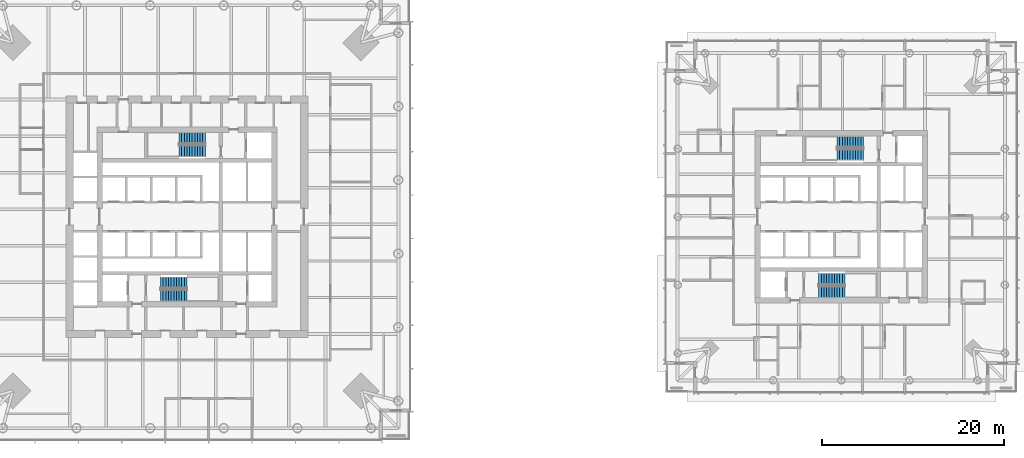
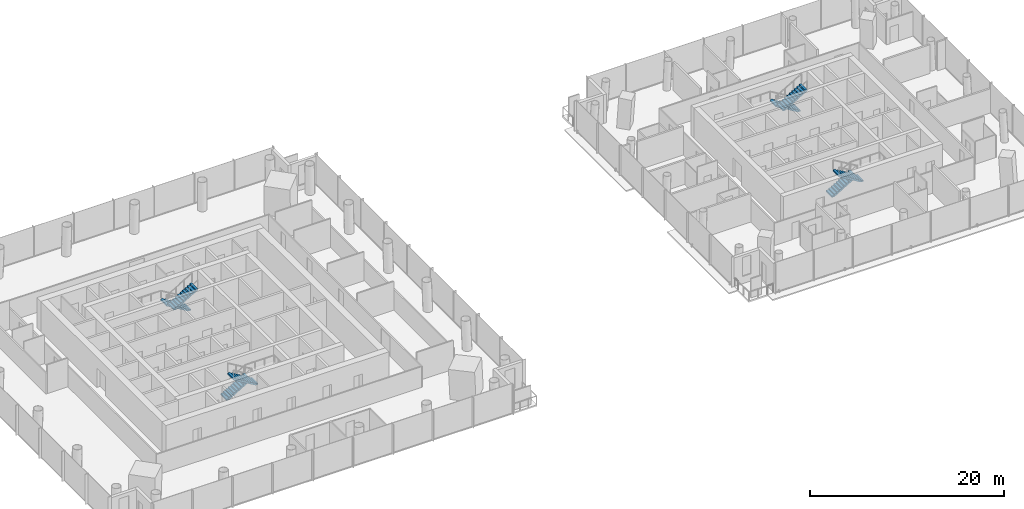
# One storey, part 16 of 21: 8 stair flights, 4 elements without a shape of their own.
"""IFC4 building model written with IfcOpenShell, lengths in metres."""

from ifc_helpers import new_model, si_unit, direction, frame, origin, place, context, subcontext, project, spatial, polyline, outline, extrude, material, type_object, element, aggregate, save


model = new_model("IFC4")

# Units and contexts
model_context = context("Model", 3, precision=1e-05, world=origin(), true_north=direction((0.0, 1.0)))
body_context = subcontext(model_context, "Body", "Model", "MODEL_VIEW")
ifc_project = project(units=[si_unit("LENGTHUNIT", "METRE"), si_unit("AREAUNIT", "SQUARE_METRE"), si_unit("VOLUMEUNIT", "CUBIC_METRE"), si_unit("PLANEANGLEUNIT", "RADIAN"), si_unit("MASSUNIT", "GRAM", prefix="KILO")], contexts=[model_context])

# Site, building, storey
site_placement = place(None, origin())
site = spatial("IfcSite", under=ifc_project, at=site_placement, CompositionType="ELEMENT")
building_placement = place(site_placement, origin())
building = spatial("IfcBuilding", under=site, at=building_placement, Name="Ostroluk Exchange", CompositionType="ELEMENT")
storey_placement = place(building_placement, frame((0.0, 0.0, 43.800048828125)))
storey = spatial("IfcBuildingStorey", under=building, at=storey_placement, Name="L10", CompositionType="ELEMENT", Elevation=43.800048828125)

# Stair, stair flights
ifc_material_1 = material(Name="Concrete C30/37", Category="concrete")
stair_type = type_object("IfcStairType", Name="Exit stair half turn 3800", PredefinedType="HALF_TURN_STAIR", material=ifc_material_1)
stair_1_placement = place(storey_placement, origin())
stair_1 = element("IfcStair", 1, at=stair_1_placement, inside=storey, type_object=stair_type, Name="Stair T1-S1 L10", PredefinedType="HALF_TURN_STAIR")
ifc_material_2 = material(Name="Concrete C30/37", Category="concrete")
stair_flight_type = type_object("IfcStairFlightType", Name="Stair flight 11 risers 172.7 x 290", PredefinedType="STRAIGHT", material=ifc_material_2)
stair_flight_1_placement = place(storey_placement, frame((42.10009765625, 38.77490234375, 0.0), z_axis=(0.0, 0.0, 1.0), x_axis=(1.0, 0.0, 0.0)))
stair_flight_1 = element("IfcStairFlight", 2, at=stair_flight_1_placement, type_object=stair_flight_type, Name="T1-S1 flight 1", NumberOfRisers=11, NumberOfTreads=10, PredefinedType="STRAIGHT", RiserHeight=0.172727273, TreadLength=0.29, context=body_context, shape_type="SweptSolid", body=[
    extrude(outline(polyline([(0.0, 0.0), (0.0, 0.172607421875), (0.2900390625, 0.172607421875), (0.2900390625, 0.345458984375), (0.580078125, 0.345458984375), (0.580078125, 0.51806640625), (0.8701171875, 0.51806640625), (0.8701171875, 0.69091796875), (1.159912109375, 0.69091796875), (1.159912109375, 0.863525390625), (1.449951171875, 0.863525390625), (1.449951171875, 1.036376953125), (1.739990234375, 1.036376953125), (1.739990234375, 1.208984375), (2.030029296875, 1.208984375), (2.030029296875, 1.3818359375), (2.320068359375, 1.3818359375), (2.320068359375, 1.554443359375), (2.610107421875, 1.554443359375), (2.610107421875, 1.727294921875), (2.89990234375, 1.727294921875), (2.89990234375, 1.89990234375), (2.89990234375, 1.552734375), (0.29296875, 0.0), (0.0, 0.0)])), frame((0.0, 0.625, 0.0), z_axis=(0.0, -1.0, 0.0), x_axis=(1.0, 0.0, 0.0)), (0.0, 0.0, 1.0), 1.25),
])
stair_flight_2_placement = place(storey_placement, frame((45.0, 37.324951171875, 1.89990234375), z_axis=(0.0, 0.0, 1.0), x_axis=(-1.0, 0.0, 0.0)))
stair_flight_2 = element("IfcStairFlight", 3, at=stair_flight_2_placement, type_object=stair_flight_type, Name="T1-S1 flight 2", NumberOfRisers=11, NumberOfTreads=10, PredefinedType="STRAIGHT", RiserHeight=0.172727273, TreadLength=0.29, context=body_context, shape_type="SweptSolid", body=[
    extrude(outline(polyline([(0.0, 0.0), (0.0, 0.172607421875), (0.2900390625, 0.172607421875), (0.2900390625, 0.345458984375), (0.580078125, 0.345458984375), (0.580078125, 0.51806640625), (0.8701171875, 0.51806640625), (0.8701171875, 0.69091796875), (1.159912109375, 0.69091796875), (1.159912109375, 0.863525390625), (1.449951171875, 0.863525390625), (1.449951171875, 1.036376953125), (1.739990234375, 1.036376953125), (1.739990234375, 1.208984375), (2.030029296875, 1.208984375), (2.030029296875, 1.3818359375), (2.320068359375, 1.3818359375), (2.320068359375, 1.554443359375), (2.610107421875, 1.554443359375), (2.610107421875, 1.727294921875), (2.89990234375, 1.727294921875), (2.89990234375, 1.89990234375), (2.89990234375, 1.552734375), (0.29296875, 0.0), (0.0, 0.0)])), frame((0.0, 0.625, 0.0), z_axis=(0.0, -1.0, 0.0), x_axis=(1.0, 0.0, 0.0)), (0.0, 0.0, 1.0), 1.25),
])
aggregate(stair_1, [stair_flight_1, stair_flight_2])

stair_2_placement = place(storey_placement, origin())
stair_2 = element("IfcStair", 4, at=stair_2_placement, inside=storey, type_object=stair_type, Name="Stair T1-S2 L10", PredefinedType="HALF_TURN_STAIR")
stair_flight_3_placement = place(storey_placement, frame((47.030029296875, 54.675048828125, 0.0), z_axis=(0.0, 0.0, 1.0), x_axis=(-1.0, 0.0, 0.0)))
stair_flight_3 = element("IfcStairFlight", 5, at=stair_flight_3_placement, type_object=stair_flight_type, Name="T1-S2 flight 1", NumberOfRisers=11, NumberOfTreads=10, PredefinedType="STRAIGHT", RiserHeight=0.172727273, TreadLength=0.29, context=body_context, shape_type="SweptSolid", body=[
    extrude(outline(polyline([(0.0, 0.0), (0.0, 0.172607421875), (0.2900390625, 0.172607421875), (0.2900390625, 0.345458984375), (0.580078125, 0.345458984375), (0.580078125, 0.51806640625), (0.8701171875, 0.51806640625), (0.8701171875, 0.69091796875), (1.159912109375, 0.69091796875), (1.159912109375, 0.863525390625), (1.449951171875, 0.863525390625), (1.449951171875, 1.036376953125), (1.739990234375, 1.036376953125), (1.739990234375, 1.208984375), (2.030029296875, 1.208984375), (2.030029296875, 1.3818359375), (2.320068359375, 1.3818359375), (2.320068359375, 1.554443359375), (2.610107421875, 1.554443359375), (2.610107421875, 1.727294921875), (2.89990234375, 1.727294921875), (2.89990234375, 1.89990234375), (2.89990234375, 1.552734375), (0.29296875, 0.0), (0.0, 0.0)])), frame((0.0, 0.625, 0.0), z_axis=(0.0, -1.0, 0.0), x_axis=(1.0, 0.0, 0.0)), (0.0, 0.0, 1.0), 1.25),
])
stair_flight_4_placement = place(storey_placement, frame((44.1298828125, 53.22509765625, 1.89990234375), z_axis=(0.0, 0.0, 1.0), x_axis=(1.0, 0.0, 0.0)))
stair_flight_4 = element("IfcStairFlight", 6, at=stair_flight_4_placement, type_object=stair_flight_type, Name="T1-S2 flight 2", NumberOfRisers=11, NumberOfTreads=10, PredefinedType="STRAIGHT", RiserHeight=0.172727273, TreadLength=0.29, context=body_context, shape_type="SweptSolid", body=[
    extrude(outline(polyline([(0.0, 0.0), (0.0, 0.172607421875), (0.2900390625, 0.172607421875), (0.2900390625, 0.345458984375), (0.580078125, 0.345458984375), (0.580078125, 0.51806640625), (0.8701171875, 0.51806640625), (0.8701171875, 0.69091796875), (1.159912109375, 0.69091796875), (1.159912109375, 0.863525390625), (1.449951171875, 0.863525390625), (1.449951171875, 1.036376953125), (1.739990234375, 1.036376953125), (1.739990234375, 1.208984375), (2.030029296875, 1.208984375), (2.030029296875, 1.3818359375), (2.320068359375, 1.3818359375), (2.320068359375, 1.554443359375), (2.610107421875, 1.554443359375), (2.610107421875, 1.727294921875), (2.89990234375, 1.727294921875), (2.89990234375, 1.89990234375), (2.89990234375, 1.552734375), (0.29296875, 0.0), (0.0, 0.0)])), frame((0.0, 0.625, 0.0), z_axis=(0.0, -1.0, 0.0), x_axis=(1.0, 0.0, 0.0)), (0.0, 0.0, 1.0), 1.25),
])
aggregate(stair_2, [stair_flight_3, stair_flight_4])

stair_3_placement = place(storey_placement, origin())
stair_3 = element("IfcStair", 7, at=stair_3_placement, inside=storey, type_object=stair_type, Name="Stair T2-S1 L10", PredefinedType="HALF_TURN_STAIR")
stair_flight_5_placement = place(storey_placement, frame((114.5, 39.175048828125, 0.0), z_axis=(0.0, 0.0, 1.0), x_axis=(1.0, 0.0, 0.0)))
stair_flight_5 = element("IfcStairFlight", 8, at=stair_flight_5_placement, type_object=stair_flight_type, Name="T2-S1 flight 1", NumberOfRisers=11, NumberOfTreads=10, PredefinedType="STRAIGHT", RiserHeight=0.172727273, TreadLength=0.29, context=body_context, shape_type="SweptSolid", body=[
    extrude(outline(polyline([(0.0, 0.0), (0.0, 0.172607421875), (0.2900390625, 0.172607421875), (0.2900390625, 0.345458984375), (0.580078125, 0.345458984375), (0.580078125, 0.51806640625), (0.8701171875, 0.51806640625), (0.8701171875, 0.69091796875), (1.159912109375, 0.69091796875), (1.159912109375, 0.863525390625), (1.449951171875, 0.863525390625), (1.449951171875, 1.036376953125), (1.739990234375, 1.036376953125), (1.739990234375, 1.208984375), (2.030029296875, 1.208984375), (2.030029296875, 1.3818359375), (2.320068359375, 1.3818359375), (2.320068359375, 1.554443359375), (2.610107421875, 1.554443359375), (2.610107421875, 1.727294921875), (2.89990234375, 1.727294921875), (2.89990234375, 1.89990234375), (2.89990234375, 1.552734375), (0.29296875, 0.0), (0.0, 0.0)])), frame((0.0, 0.625, 0.0), z_axis=(0.0, -1.0, 0.0), x_axis=(1.0, 0.0, 0.0)), (0.0, 0.0, 1.0), 1.25),
])
stair_flight_6_placement = place(storey_placement, frame((117.39990234375, 37.72509765625, 1.89990234375), z_axis=(0.0, 0.0, 1.0), x_axis=(-1.0, 0.0, 0.0)))
stair_flight_6 = element("IfcStairFlight", 9, at=stair_flight_6_placement, type_object=stair_flight_type, Name="T2-S1 flight 2", NumberOfRisers=11, NumberOfTreads=10, PredefinedType="STRAIGHT", RiserHeight=0.172727273, TreadLength=0.29, context=body_context, shape_type="SweptSolid", body=[
    extrude(outline(polyline([(0.0, 0.0), (0.0, 0.172607421875), (0.2900390625, 0.172607421875), (0.2900390625, 0.345458984375), (0.580078125, 0.345458984375), (0.580078125, 0.51806640625), (0.8701171875, 0.51806640625), (0.8701171875, 0.69091796875), (1.159912109375, 0.69091796875), (1.159912109375, 0.863525390625), (1.449951171875, 0.863525390625), (1.449951171875, 1.036376953125), (1.739990234375, 1.036376953125), (1.739990234375, 1.208984375), (2.030029296875, 1.208984375), (2.030029296875, 1.3818359375), (2.320068359375, 1.3818359375), (2.320068359375, 1.554443359375), (2.610107421875, 1.554443359375), (2.610107421875, 1.727294921875), (2.89990234375, 1.727294921875), (2.89990234375, 1.89990234375), (2.89990234375, 1.552734375), (0.29296875, 0.0), (0.0, 0.0)])), frame((0.0, 0.625, 0.0), z_axis=(0.0, -1.0, 0.0), x_axis=(1.0, 0.0, 0.0)), (0.0, 0.0, 1.0), 1.25),
])
aggregate(stair_3, [stair_flight_5, stair_flight_6])

stair_4_placement = place(storey_placement, origin())
stair_4 = element("IfcStair", 10, at=stair_4_placement, inside=storey, type_object=stair_type, Name="Stair T2-S2 L10", PredefinedType="HALF_TURN_STAIR")
stair_flight_7_placement = place(storey_placement, frame((119.429931640625, 54.27490234375, 0.0), z_axis=(0.0, 0.0, 1.0), x_axis=(-1.0, 0.0, 0.0)))
stair_flight_7 = element("IfcStairFlight", 11, at=stair_flight_7_placement, type_object=stair_flight_type, Name="T2-S2 flight 1", NumberOfRisers=11, NumberOfTreads=10, PredefinedType="STRAIGHT", RiserHeight=0.172727273, TreadLength=0.29, context=body_context, shape_type="SweptSolid", body=[
    extrude(outline(polyline([(0.0, 0.0), (0.0, 0.172607421875), (0.2900390625, 0.172607421875), (0.2900390625, 0.345458984375), (0.580078125, 0.345458984375), (0.580078125, 0.51806640625), (0.8701171875, 0.51806640625), (0.8701171875, 0.69091796875), (1.159912109375, 0.69091796875), (1.159912109375, 0.863525390625), (1.449951171875, 0.863525390625), (1.449951171875, 1.036376953125), (1.739990234375, 1.036376953125), (1.739990234375, 1.208984375), (2.030029296875, 1.208984375), (2.030029296875, 1.3818359375), (2.320068359375, 1.3818359375), (2.320068359375, 1.554443359375), (2.610107421875, 1.554443359375), (2.610107421875, 1.727294921875), (2.89990234375, 1.727294921875), (2.89990234375, 1.89990234375), (2.89990234375, 1.552734375), (0.29296875, 0.0), (0.0, 0.0)])), frame((0.0, 0.625, 0.0), z_axis=(0.0, -1.0, 0.0), x_axis=(1.0, 0.0, 0.0)), (0.0, 0.0, 1.0), 1.25),
])
stair_flight_8_placement = place(storey_placement, frame((116.530029296875, 52.824951171875, 1.89990234375), z_axis=(0.0, 0.0, 1.0), x_axis=(1.0, 0.0, 0.0)))
stair_flight_8 = element("IfcStairFlight", 12, at=stair_flight_8_placement, type_object=stair_flight_type, Name="T2-S2 flight 2", NumberOfRisers=11, NumberOfTreads=10, PredefinedType="STRAIGHT", RiserHeight=0.172727273, TreadLength=0.29, context=body_context, shape_type="SweptSolid", body=[
    extrude(outline(polyline([(0.0, 0.0), (0.0, 0.172607421875), (0.2900390625, 0.172607421875), (0.2900390625, 0.345458984375), (0.580078125, 0.345458984375), (0.580078125, 0.51806640625), (0.8701171875, 0.51806640625), (0.8701171875, 0.69091796875), (1.159912109375, 0.69091796875), (1.159912109375, 0.863525390625), (1.449951171875, 0.863525390625), (1.449951171875, 1.036376953125), (1.739990234375, 1.036376953125), (1.739990234375, 1.208984375), (2.030029296875, 1.208984375), (2.030029296875, 1.3818359375), (2.320068359375, 1.3818359375), (2.320068359375, 1.554443359375), (2.610107421875, 1.554443359375), (2.610107421875, 1.727294921875), (2.89990234375, 1.727294921875), (2.89990234375, 1.89990234375), (2.89990234375, 1.552734375), (0.29296875, 0.0), (0.0, 0.0)])), frame((0.0, 0.625, 0.0), z_axis=(0.0, -1.0, 0.0), x_axis=(1.0, 0.0, 0.0)), (0.0, 0.0, 1.0), 1.25),
])
aggregate(stair_4, [stair_flight_7, stair_flight_8])

save(model, "model.ifc")
